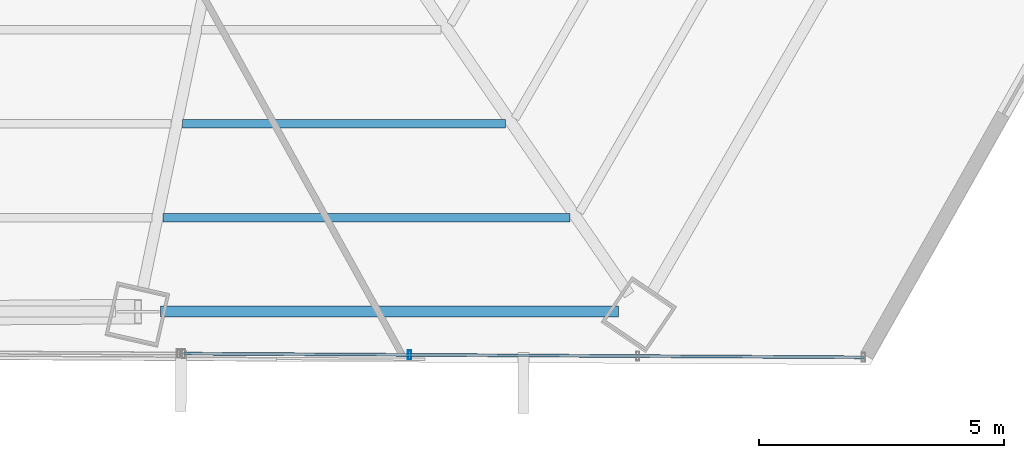
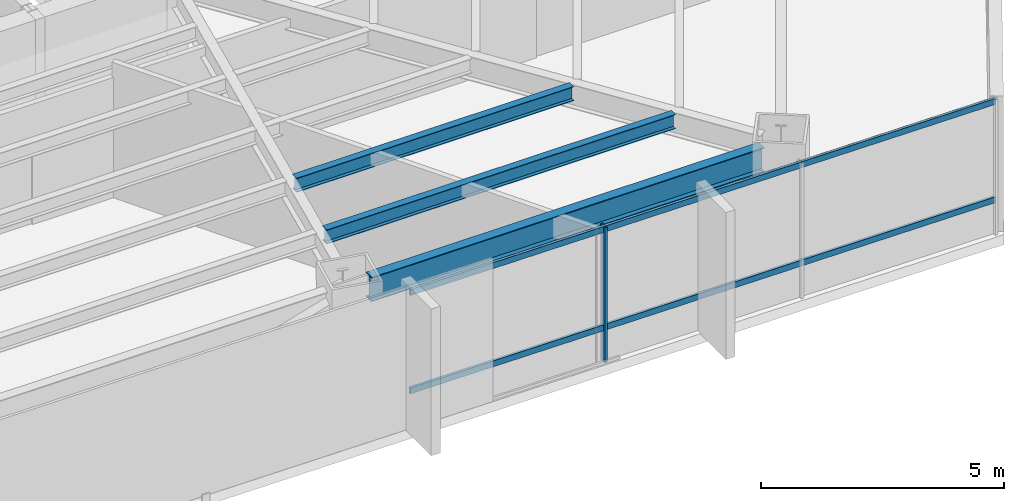
# One storey, part 15 of 36: 3 beams, 3 members, 1 element without a shape of its own.
"""IFC4 building model written with IfcOpenShell, lengths in metres."""

from ifc_helpers import new_model, si_unit, direction, frame, origin, origin_2d, place, context, subcontext, project, spatial, hollow_rectangle, i_section, extrude, source, transform, mapped, material, material_profile, profile_set, type_object, type_shapes, element, aggregate, save


model = new_model("IFC4")

# Units and contexts
model_context = context("Model", 3, precision=1e-05, world=origin(), true_north=direction((0.0, 1.0)))
body_context = subcontext(model_context, "Body", "Model", "MODEL_VIEW")
ifc_project = project(units=[si_unit("LENGTHUNIT", "METRE"), si_unit("AREAUNIT", "SQUARE_METRE"), si_unit("VOLUMEUNIT", "CUBIC_METRE"), si_unit("PLANEANGLEUNIT", "RADIAN"), si_unit("MASSUNIT", "GRAM", prefix="KILO")], contexts=[model_context])

# Site, building, storey
site_placement = place(None, origin())
site = spatial("IfcSite", under=ifc_project, at=site_placement, CompositionType="ELEMENT")
building_placement = place(site_placement, origin())
building = spatial("IfcBuilding", under=site, at=building_placement, Name="Caelisora Broadcast Tower", CompositionType="ELEMENT")
storey_placement = place(building_placement, frame((0.0, 0.0, 79.85009765625)))
storey = spatial("IfcBuildingStorey", under=building, at=storey_placement, Name="L20", CompositionType="ELEMENT", Elevation=79.85009765625)

# Beams
ifc_material_1 = material(Name="Steel Grade 350 (AS/NZS 3679.1)", Category="steel")
ifc_material_profile_1 = material_profile(ifc_material_1, i_section(OverallWidth=0.22900390625, OverallDepth=0.611572265625, WebThickness=0.011962890625, FlangeThickness=0.01953125, at=origin_2d()), Name="Steel Grade 350 (AS/NZS 3679.1)")
ifc_profile_set_1 = profile_set([ifc_material_profile_1], Name="Steel Grade 350 (AS/NZS 3679.1)")
beam_type_1 = type_object("IfcBeamType", Name="PG03", PredefinedType="BEAM", material=ifc_profile_set_1)
shared_shape_1 = source(origin(), body_context, "Body", "SweptSolid", [
    extrude(i_section(OverallWidth=0.22900390625, OverallDepth=0.611572265625, WebThickness=0.011962890625, FlangeThickness=0.01953125, at=origin_2d()), origin(), (0.0, 0.0, 1.0), 9.3369140625),
])
type_shapes(beam_type_1, [shared_shape_1])
beam_1_placement = place(storey_placement, frame((43.58837890625, 5.9072265625, 3.093994140625), z_axis=(1.0, 0.0, 0.0), x_axis=(0.0, 1.0, 0.0)))
element("IfcBeam", 1, at=beam_1_placement, inside=storey, type_object=beam_type_1, Name="L20 beam PG03", PredefinedType="BEAM", context=body_context, shape_type="MappedRepresentation", body=[
    mapped(shared_shape_1, transform((0.0, 0.0, 0.0), scale=1.0)),
])
ifc_material_profile_2 = material_profile(ifc_material_1, i_section(OverallWidth=0.172119140625, OverallDepth=0.358642578125, WebThickness=0.008056640625, FlangeThickness=0.012939453125, at=origin_2d()), Name="Steel Grade 350 (AS/NZS 3679.1)")
ifc_profile_set_2 = profile_set([ifc_material_profile_2], Name="Steel Grade 350 (AS/NZS 3679.1)")
beam_type_2 = type_object("IfcBeamType", Name="SB02", PredefinedType="JOIST", material=ifc_profile_set_2)
shared_shape_2 = source(origin(), body_context, "Body", "SweptSolid", [
    extrude(i_section(OverallWidth=0.172119140625, OverallDepth=0.358642578125, WebThickness=0.008056640625, FlangeThickness=0.012939453125, at=origin_2d()), origin(), (0.0, 0.0, 1.0), 6.58935546875),
])
beam_2_placement = place(storey_placement, frame((44.0322265625, 9.738037109375, 3.220703125), z_axis=(1.0, 0.0, 0.0), x_axis=(0.0, 1.0, 0.0)))
element("IfcBeam", 2, at=beam_2_placement, inside=storey, type_object=beam_type_2, Name="L20 beam SB02", PredefinedType="JOIST", context=body_context, shape_type="MappedRepresentation", body=[
    mapped(shared_shape_2, transform((0.0, 0.0, 0.0), scale=1.0)),
])
shared_shape_3 = source(origin(), body_context, "Body", "SweptSolid", [
    extrude(i_section(OverallWidth=0.172119140625, OverallDepth=0.358642578125, WebThickness=0.008056640625, FlangeThickness=0.012939453125, at=origin_2d()), origin(), (0.0, 0.0, 1.0), 8.298583984375),
])
type_shapes(beam_type_2, [shared_shape_2, shared_shape_3])
beam_3_placement = place(storey_placement, frame((43.63720703125, 7.82275390625, 3.220703125), z_axis=(1.0, 0.0, 0.0), x_axis=(0.0, 1.0, 0.0)))
element("IfcBeam", 3, at=beam_3_placement, inside=storey, type_object=beam_type_2, Name="L20 beam SB02", PredefinedType="JOIST", context=body_context, shape_type="MappedRepresentation", body=[
    mapped(shared_shape_3, transform((0.0, 0.0, 0.0), scale=1.0)),
])

# Curtain wall, members
ifc_material_2 = material(Name="Unitised Aluminium and Low-E Glass Curtain Wall", Category="glass")
curtain_wall_type = type_object("IfcCurtainWallType", Name="CW-Z2", PredefinedType="NOTDEFINED", material=ifc_material_2)
curtain_wall_placement = place(storey_placement, origin())
curtain_wall = element("IfcCurtainWall", 4, at=curtain_wall_placement, inside=storey, type_object=curtain_wall_type, Name="L20 curtain wall CW-Z2", PredefinedType="NOTDEFINED")
ifc_material_3 = material(Name="Aluminium 6063-T6 Anodised Terracotta Bronze", Category="aluminium")
ifc_material_profile_3 = material_profile(ifc_material_3, hollow_rectangle(XDim=0.06494140625, YDim=0.179931640625, WallThickness=0.00341796875, at=origin_2d()), Name="Aluminium 6063-T6 Anodised Terracotta Bronze")
ifc_profile_set_3 = profile_set([ifc_material_profile_3], Name="Aluminium 6063-T6 Anodised Terracotta Bronze")
member_type_1 = type_object("IfcMemberType", Name="CWM-02", PredefinedType="MULLION", material=ifc_profile_set_3)
shared_shape_4 = source(origin(), body_context, "Body", "SweptSolid", [
    extrude(hollow_rectangle(XDim=0.06494140625, YDim=0.179931640625, WallThickness=0.00341796875, at=origin_2d()), origin(), (0.0, 0.0, 1.0), 3.39990234375),
])
type_shapes(member_type_1, [shared_shape_4])
member_1_placement = place(storey_placement, frame((48.666748046875, 5.02490234375, 0.0), z_axis=(0.0, 0.0, 1.0), x_axis=(1.0, 0.0, 0.0)))
member_1 = element("IfcMember", 5, at=member_1_placement, type_object=member_type_1, Name="L20-CW-B05 mullion #2", PredefinedType="MULLION", context=body_context, shape_type="MappedRepresentation", body=[
    mapped(shared_shape_4, transform((0.0, 0.0, 0.0), scale=1.0)),
])
ifc_material_profile_4 = material_profile(ifc_material_3, hollow_rectangle(XDim=0.06005859375, YDim=0.14990234375, WallThickness=0.00341796875, at=origin_2d()), Name="Aluminium 6063-T6 Anodised Terracotta Bronze")
ifc_profile_set_4 = profile_set([ifc_material_profile_4], Name="Aluminium 6063-T6 Anodised Terracotta Bronze")
member_type_2 = type_object("IfcMemberType", Name="CWT-02", PredefinedType="USERDEFINED", material=ifc_profile_set_4)
shared_shape_5 = source(origin(), body_context, "Body", "SweptSolid", [
    extrude(hollow_rectangle(XDim=0.06005859375, YDim=0.14990234375, WallThickness=0.00341796875, at=origin_2d()), origin(), (0.0, 0.0, 1.0), 13.862548828125),
])
type_shapes(member_type_2, [shared_shape_5])
member_2_placement = place(storey_placement, frame((57.925048828125, 4.974365234375, 0.849853515625), z_axis=(-0.999985096341, 0.005459587528, 0.0), x_axis=(-0.005459587528, -0.999985096341, 0.0)))
member_2 = element("IfcMember", 6, at=member_2_placement, type_object=member_type_2, Name="L20-CW-B05 transom #1", ObjectType="TRANSOM", PredefinedType="USERDEFINED", context=body_context, shape_type="MappedRepresentation", body=[
    mapped(shared_shape_5, transform((0.0, 0.0, 0.0), scale=1.0)),
])
member_3_placement = place(storey_placement, frame((57.925048828125, 4.974365234375, 3.31982421875), z_axis=(-0.999985096341, 0.005459587528, 0.0), x_axis=(-0.005459587528, -0.999985096341, 0.0)))
member_3 = element("IfcMember", 7, at=member_3_placement, type_object=member_type_2, Name="L20-CW-B05 transom #2", ObjectType="TRANSOM", PredefinedType="USERDEFINED", context=body_context, shape_type="MappedRepresentation", body=[
    mapped(shared_shape_5, transform((0.0, 0.0, 0.0), scale=1.0)),
])
aggregate(curtain_wall, [member_1, member_2, member_3])

save(model, "model.ifc")
